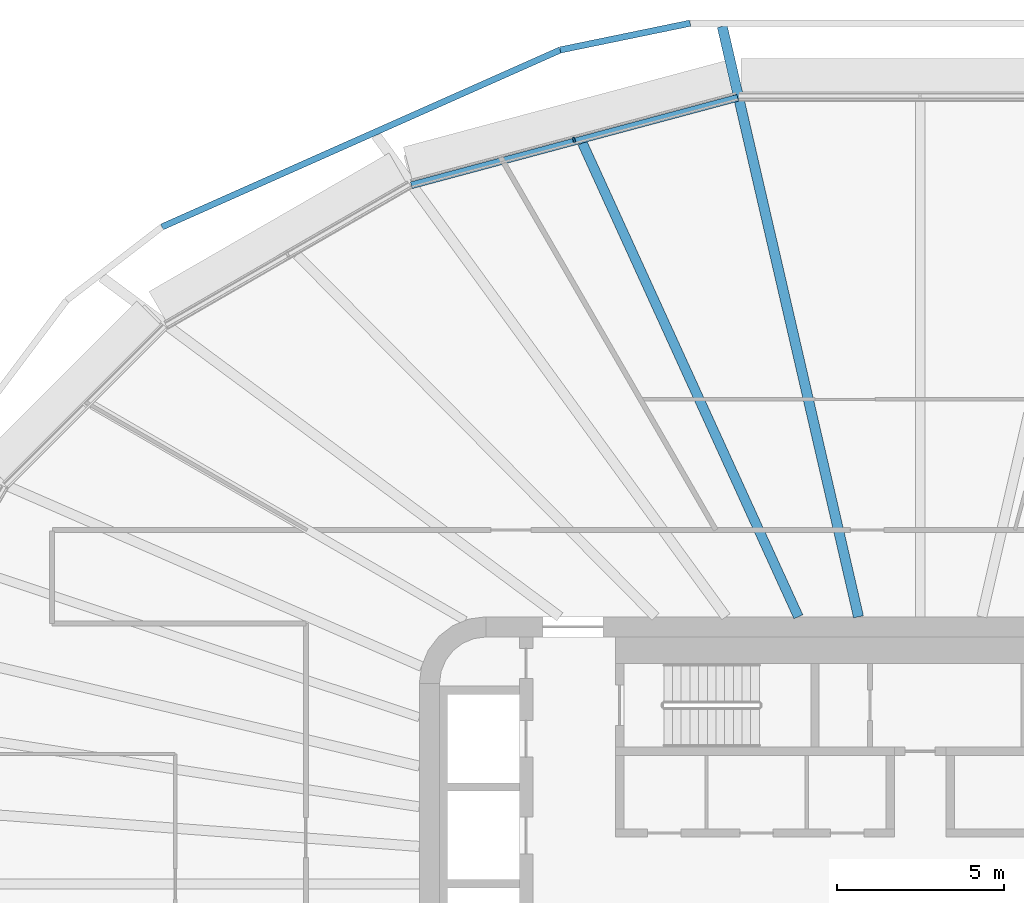
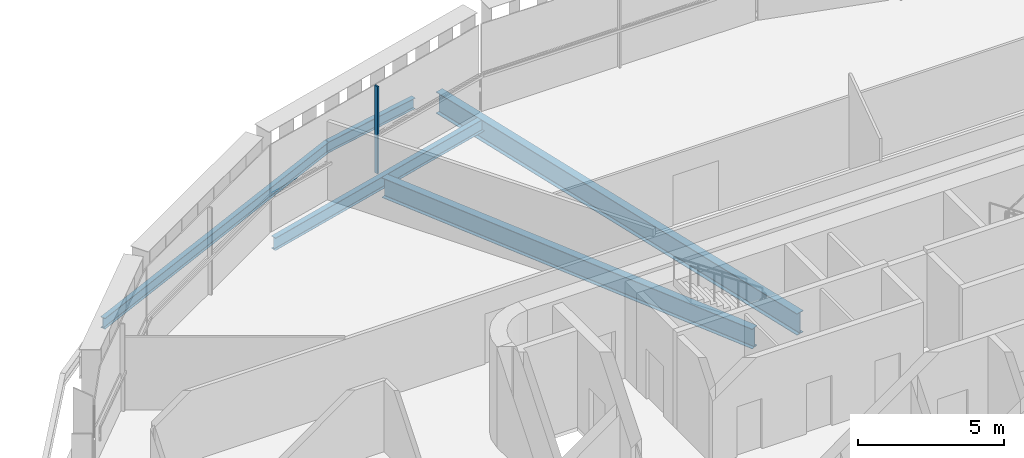
# One storey, part 8 of 25: 5 beams, 1 member, 1 element without a shape of its own.
"""IFC4 building model written with IfcOpenShell, lengths in metres."""

from ifc_helpers import new_model, si_unit, direction, frame, origin, origin_2d, place, context, subcontext, project, spatial, rectangle, i_section, extrude, material, layer, layer_set, material_profile, profile_set, type_object, element, aggregate, save


model = new_model("IFC4")

# Units and contexts
model_context = context("Model", 3, precision=1e-05, world=origin(), true_north=direction((0.0, 1.0)))
body_context = subcontext(model_context, "Body", "Model", "MODEL_VIEW")
ifc_project = project(units=[si_unit("LENGTHUNIT", "METRE"), si_unit("AREAUNIT", "SQUARE_METRE"), si_unit("VOLUMEUNIT", "CUBIC_METRE"), si_unit("PLANEANGLEUNIT", "RADIAN"), si_unit("MASSUNIT", "GRAM", prefix="KILO")], contexts=[model_context])

# Site, building, storey
site_placement = place(None, origin())
site = spatial("IfcSite", under=ifc_project, at=site_placement, CompositionType="ELEMENT")
building_placement = place(site_placement, origin())
building = spatial("IfcBuilding", under=site, at=building_placement, Name="Sahrelin Media Tower", CompositionType="ELEMENT")
storey_placement = place(building_placement, frame((0.0, 0.0, 135.60009765625)))
storey = spatial("IfcBuildingStorey", under=building, at=storey_placement, Name="L27", CompositionType="ELEMENT", Elevation=135.60009765625)

# Beam
ifc_material_1 = material(Name="Steel S355", Category="steel")
ifc_material_profile_1 = material_profile(ifc_material_1, i_section(OverallWidth=0.208740234375, OverallDepth=0.5283203125, WebThickness=0.009521484375, FlangeThickness=0.01318359375, FilletRadius=0.0126953125, at=origin_2d()), Name="UB 533x210x82")
ifc_profile_set_1 = profile_set([ifc_material_profile_1], Name="Steel S355")
beam_type_1 = type_object("IfcBeamType", Name="Edge beam EB6", PredefinedType="BEAM", material=ifc_profile_set_1)
beam_1_placement = place(storey_placement, frame((-15.23779296875, 20.9228515625, -0.414306640625), z_axis=(0.96592349726, 0.258827737002, 0.0), x_axis=(-0.258827737002, 0.96592349726, 0.0)))
element("IfcBeam", 1, at=beam_1_placement, inside=storey, type_object=beam_type_1, Name="Edge beam L27-18", PredefinedType="BEAM", context=body_context, shape_type="SweptSolid", body=[
    extrude(i_section(OverallWidth=0.208740234375, OverallDepth=0.5283203125, WebThickness=0.009521484375, FlangeThickness=0.01318359375, FilletRadius=0.0126953125, at=origin_2d()), origin(), (0.0, 0.0, 1.0), 10.119140625),
])

# Curtain wall, member
ifc_material_2 = material(Name="Champagne anodised aluminium 6063-T6", Category="aluminium")
ifc_layer = layer(ifc_material_2, 0.14990234375)
ifc_layer_set = layer_set([ifc_layer], Name="Tower ribbon curtain wall")
curtain_wall_type = type_object("IfcCurtainWallType", Name="Tower ribbon curtain wall", PredefinedType="NOTDEFINED", material=ifc_layer_set)
curtain_wall_placement = place(storey_placement, frame((-10.389404296875, 22.377197265625, 0.0), z_axis=(0.0, 0.0, 1.0), x_axis=(1.0, 0.0, 0.0)))
curtain_wall = element("IfcCurtainWall", 2, at=curtain_wall_placement, inside=storey, type_object=curtain_wall_type, Name="L27:CW:L27-07", PredefinedType="NOTDEFINED")
ifc_material_profile_2 = material_profile(ifc_material_2, rectangle(XDim=0.06005859375, YDim=0.14990234375, at=origin_2d()), Name="Mullion 60x150")
ifc_profile_set_2 = profile_set([ifc_material_profile_2], Name="Champagne anodised aluminium 6063-T6")
member_type = type_object("IfcMemberType", Name="Mullion 60x150 CW1", PredefinedType="MULLION", material=ifc_profile_set_2)
member_placement = place(storey_placement, frame((-10.364990234375, 22.285400390625, 0.0), z_axis=(0.0, 0.0, 1.0), x_axis=(-0.965925826289, -0.258819045103, 0.0)))
member = element("IfcMember", 3, at=member_placement, type_object=member_type, Name="L27:CWM:L27-07", PredefinedType="MULLION", context=body_context, shape_type="SweptSolid", body=[
    extrude(rectangle(XDim=0.06005859375, YDim=0.14990234375, at=origin_2d()), origin(), (0.0, 0.0, 1.0), 3.6484375),
])
aggregate(curtain_wall, [member])

# Beams
ifc_material_profile_3 = material_profile(ifc_material_1, i_section(OverallWidth=0.30322265625, OverallDepth=0.903076171875, WebThickness=0.01513671875, FlangeThickness=0.020263671875, FilletRadius=0.01904296875, at=origin_2d()), Name="UB 914x305x201")
ifc_profile_set_3 = profile_set([ifc_material_profile_3], Name="Steel S355")
beam_type_2 = type_object("IfcBeamType", Name="Radial primary beam PB11", PredefinedType="BEAM", material=ifc_profile_set_3)
beam_2_placement = place(storey_placement, frame((-1.846435546875, 8.0, -0.6015625), z_axis=(-0.224889964266, 0.974384166524, 0.0), x_axis=(-0.974384166524, -0.224889964266, 0.0)))
element("IfcBeam", 4, at=beam_2_placement, inside=storey, type_object=beam_type_2, Name="Radial beam L27-07", PredefinedType="BEAM", context=body_context, shape_type="SweptSolid", body=[
    extrude(i_section(OverallWidth=0.30322265625, OverallDepth=0.903076171875, WebThickness=0.01513671875, FlangeThickness=0.020263671875, FilletRadius=0.01904296875, at=origin_2d()), origin(), (0.0, 0.0, 1.0), 18.14794921875),
])
ifc_material_profile_4 = material_profile(ifc_material_1, i_section(OverallWidth=0.291748046875, OverallDepth=0.8349609375, WebThickness=0.013916015625, FlangeThickness=0.018798828125, FilletRadius=0.017822265625, at=origin_2d()), Name="UB 838x292x176")
ifc_profile_set_4 = profile_set([ifc_material_profile_4], Name="Steel S355")
beam_type_3 = type_object("IfcBeamType", Name="Radial secondary beam SB10", PredefinedType="BEAM", material=ifc_profile_set_4)
beam_3_placement = place(storey_placement, frame((-3.64697265625, 8.0, -0.567626953125), z_axis=(-0.414807797457, 0.909909056538, 0.0), x_axis=(-0.909909056538, -0.414807797457, 0.0)))
element("IfcBeam", 5, at=beam_3_placement, inside=storey, type_object=beam_type_3, Name="Secondary beam L27-07", PredefinedType="BEAM", context=body_context, shape_type="SweptSolid", body=[
    extrude(i_section(OverallWidth=0.291748046875, OverallDepth=0.8349609375, WebThickness=0.013916015625, FlangeThickness=0.018798828125, FilletRadius=0.017822265625, at=origin_2d()), origin(), (0.0, 0.0, 1.0), 15.59228515625),
])
ifc_material_profile_5 = material_profile(ifc_material_1, i_section(OverallWidth=0.1904296875, OverallDepth=0.45703125, WebThickness=0.009033203125, FlangeThickness=0.014404296875, FilletRadius=0.01025390625, at=origin_2d()), Name="UB 457x191x74")
ifc_profile_set_5 = profile_set([ifc_material_profile_5], Name="Steel S355")
beam_type_4 = type_object("IfcBeamType", Name="Tie chord TC5", PredefinedType="BEAM", material=ifc_profile_set_5)
beam_4_placement = place(storey_placement, frame((-6.8876953125, 25.7783203125, -0.378662109375), z_axis=(-0.979384194354, -0.202006435171, 0.0), x_axis=(0.202006435171, -0.979384194354, 0.0)))
element("IfcBeam", 6, at=beam_4_placement, inside=storey, type_object=beam_type_4, Name="Tie chord L27-07", PredefinedType="BEAM", context=body_context, shape_type="SweptSolid", body=[
    extrude(i_section(OverallWidth=0.1904296875, OverallDepth=0.45703125, WebThickness=0.009033203125, FlangeThickness=0.014404296875, FilletRadius=0.01025390625, at=origin_2d()), origin(), (0.0, 0.0, 1.0), 3.97509765625),
])
beam_5_placement = place(storey_placement, frame((-10.78076171875, 24.975341796875, -0.378662109375), z_axis=(-0.913830827108, -0.406095086681, 0.0), x_axis=(0.406095086681, -0.913830827108, 0.0)))
element("IfcBeam", 7, at=beam_5_placement, inside=storey, type_object=beam_type_4, Name="Tie chord L27-08", PredefinedType="BEAM", context=body_context, shape_type="SweptSolid", body=[
    extrude(i_section(OverallWidth=0.1904296875, OverallDepth=0.45703125, WebThickness=0.009033203125, FlangeThickness=0.014404296875, FilletRadius=0.01025390625, at=origin_2d()), origin(), (0.0, 0.0, 1.0), 13.054931640625),
])

save(model, "model.ifc")
